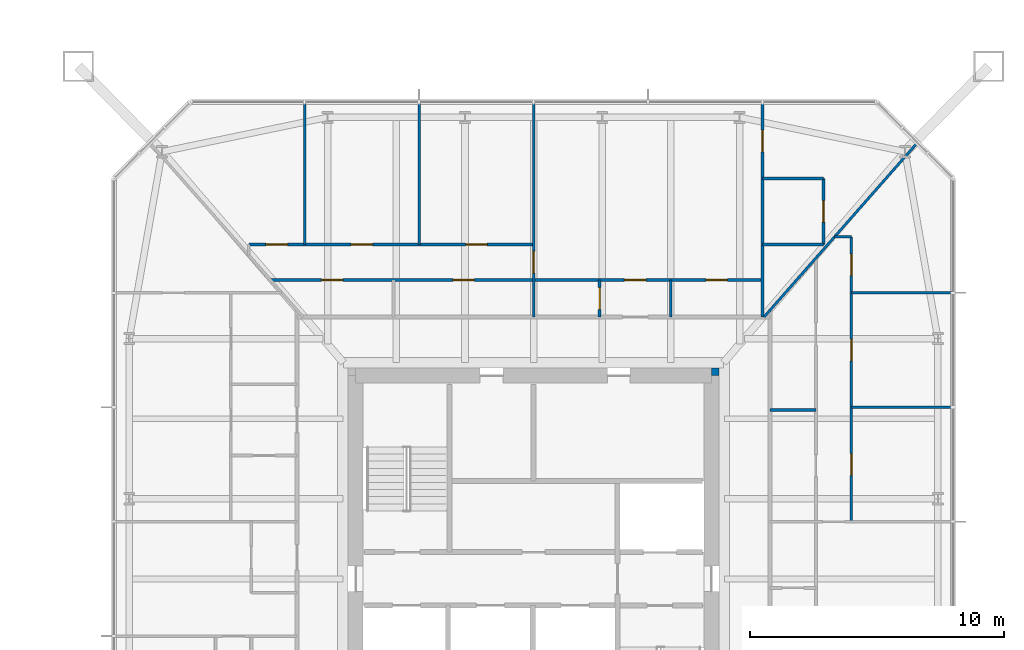
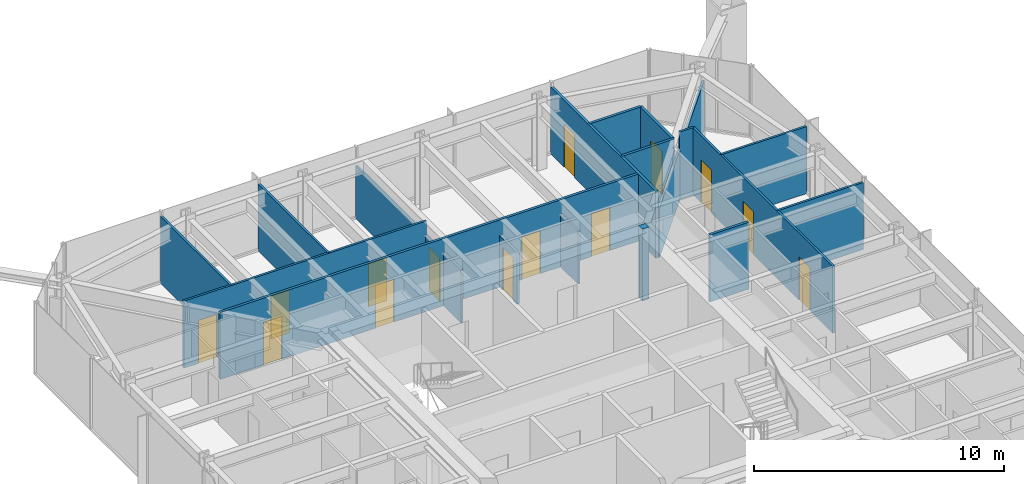
# One storey, part 21 of 26: 18 walls, 14 doors, 14 openings.
"""IFC4 building model written with IfcOpenShell, lengths in metres."""

from ifc_helpers import new_model, si_unit, direction, frame, frame_2d, origin, place, context, subcontext, project, spatial, rectangle, extrude, material, layer, layer_set, type_object, element, fill, save


model = new_model("IFC4")

# Units and contexts
model_context = context("Model", 3, precision=1e-05, world=origin(), true_north=direction((0.0, 1.0)))
body_context = subcontext(model_context, "Body", "Model", "MODEL_VIEW")
ifc_project = project(units=[si_unit("LENGTHUNIT", "METRE"), si_unit("AREAUNIT", "SQUARE_METRE"), si_unit("VOLUMEUNIT", "CUBIC_METRE"), si_unit("PLANEANGLEUNIT", "RADIAN"), si_unit("MASSUNIT", "GRAM", prefix="KILO")], contexts=[model_context])

# Site, building, storey
site_placement = place(None, origin())
site = spatial("IfcSite", under=ifc_project, at=site_placement, CompositionType="ELEMENT")
building_placement = place(site_placement, origin())
building = spatial("IfcBuilding", under=site, at=building_placement, Name="Iwan Alto Co-Living Towers", CompositionType="ELEMENT")
storey_placement = place(building_placement, frame((0.0, 0.0, 50.0)))
storey = spatial("IfcBuildingStorey", under=building, at=storey_placement, Name="L13", CompositionType="ELEMENT", Elevation=50.0)

# Walls
ifc_material_1 = material(Name="Gypsum board")
ifc_layer_1 = layer(ifc_material_1, 0.012451171875, Name="Board", Category="Finish")
ifc_material_2 = material(Name="Steel ASTM A1003 ST33H cold-formed studs", Category="steel")
ifc_layer_2 = layer(ifc_material_2, 0.074951171875, Name="Studs", Category="Framing")
ifc_layer_3 = layer(ifc_material_1, 0.012451171875, Name="Board", Category="Finish")
ifc_layer_set_1 = layer_set([ifc_layer_1, ifc_layer_2, ifc_layer_3], Name="PARTITION 100")
wall_type_1 = type_object("IfcWallType", Name="PARTITION 100", PredefinedType="PARTITIONING", material=ifc_layer_set_1)
for number, where, z_axis, x_axis, name in (
    (1, (75.5, 6.75, 0.0), (0.0, 0.0, 1.0), (1.0, 0.0, 0.0), "Partition L13"),
    (2, (75.5, 11.25, 0.0), (0.0, 0.0, 1.0), (1.0, 0.0, 0.0), "Partition L13"),
):
    element("IfcWall", number, at=place(storey_placement, frame(where, z_axis=z_axis, x_axis=x_axis)), inside=storey, type_object=wall_type_1, Name=name, PredefinedType="PARTITIONING", context=body_context, shape_type="SweptSolid", body=[
        extrude(rectangle(XDim=3.93994140625, YDim=0.10009765625, at=frame_2d((1.969970703125, 0.0))), origin(), (0.0, 0.0, 1.0), 3.27001953125),
    ])

# Wall, openings, doors
wall_1_placement = place(storey_placement, frame((51.800048828125, 13.14990234375, 0.0), z_axis=(0.0, 0.0, 1.0), x_axis=(1.0, 0.0, 0.0)))
wall_1 = element("IfcWall", 3, at=wall_1_placement, inside=storey, type_object=wall_type_1, Name="Partition L13", PredefinedType="PARTITIONING", context=body_context, shape_type="SweptSolid", body=[
    extrude(rectangle(XDim=11.199951171875, YDim=0.10009765625, at=frame_2d((5.60009765625, 0.0))), origin(), (0.0, 0.0, 1.0), 3.27001953125),
])
opening_1_placement = place(wall_1_placement, frame((8.52490234375, 0.0, 0.0)))
opening_1 = element("IfcOpeningElement", 4, at=opening_1_placement, cuts=wall_1, Name="Opening D2", PredefinedType="OPENING", context=body_context, shape_type="SweptSolid", body=[
    extrude(rectangle(XDim=0.85009765625, YDim=2.10009765625, at=frame_2d((0.425048828125, 1.050048828125))), frame((0.0, 0.06005859375, 0.0), z_axis=(0.0, -1.0, 0.0), x_axis=(1.0, 0.0, 0.0)), (0.0, 0.0, 1.0), 0.1201171875),
])
opening_2_placement = place(wall_1_placement, frame((4.02490234375, 0.0, 0.0)))
opening_2 = element("IfcOpeningElement", 5, at=opening_2_placement, cuts=wall_1, Name="Opening D2", PredefinedType="OPENING", context=body_context, shape_type="SweptSolid", body=[
    extrude(rectangle(XDim=0.85009765625, YDim=2.10009765625, at=frame_2d((0.425048828125, 1.050048828125))), frame((0.0, 0.06005859375, 0.0), z_axis=(0.0, -1.0, 0.0), x_axis=(1.0, 0.0, 0.0)), (0.0, 0.0, 1.0), 0.1201171875),
])
opening_3_placement = place(wall_1_placement, frame((0.675048828125, 0.0, 0.0)))
opening_3 = element("IfcOpeningElement", 6, at=opening_3_placement, cuts=wall_1, Name="Opening D2", PredefinedType="OPENING", context=body_context, shape_type="SweptSolid", body=[
    extrude(rectangle(XDim=0.85009765625, YDim=2.10009765625, at=frame_2d((0.425048828125, 1.050048828125))), frame((0.0, 0.06005859375, 0.0), z_axis=(0.0, -1.0, 0.0), x_axis=(1.0, 0.0, 0.0)), (0.0, 0.0, 1.0), 0.1201171875),
])
ifc_material_3 = material(Name="Timber leaf in steel frame", Category="steel")
door_type = type_object("IfcDoorType", Name="ROOM DOOR 850X2100", OperationType="SINGLE_SWING_LEFT", PredefinedType="DOOR", material=ifc_material_3)
door_1_placement = place(opening_1_placement, origin())
door_1 = element("IfcDoor", 7, at=door_1_placement, inside=storey, type_object=door_type, Name="Study door L13", OperationType="SINGLE_SWING_LEFT", OverallHeight=2.10009765625, OverallWidth=0.85009765625, PredefinedType="DOOR", context=body_context, shape_type="SweptSolid", body=[
    extrude(rectangle(XDim=0.85009765625, YDim=2.10009765625, at=frame_2d((0.425048828125, 1.050048828125))), frame((0.0, 0.02490234375, 0.0), z_axis=(0.0, -1.0, 0.0), x_axis=(1.0, 0.0, 0.0)), (0.0, 0.0, 1.0), 0.050048828125),
])
fill(opening_1, door_1)
door_2_placement = place(opening_2_placement, origin())
door_2 = element("IfcDoor", 8, at=door_2_placement, inside=storey, type_object=door_type, Name="Bedroom door L13", OperationType="SINGLE_SWING_LEFT", OverallHeight=2.10009765625, OverallWidth=0.85009765625, PredefinedType="DOOR", context=body_context, shape_type="SweptSolid", body=[
    extrude(rectangle(XDim=0.85009765625, YDim=2.10009765625, at=frame_2d((0.425048828125, 1.050048828125))), frame((0.0, 0.02490234375, 0.0), z_axis=(0.0, -1.0, 0.0), x_axis=(1.0, 0.0, 0.0)), (0.0, 0.0, 1.0), 0.050048828125),
])
fill(opening_2, door_2)
door_3_placement = place(opening_3_placement, origin())
door_3 = element("IfcDoor", 9, at=door_3_placement, inside=storey, type_object=door_type, Name="Bedroom door L13", OperationType="SINGLE_SWING_RIGHT", OverallHeight=2.10009765625, OverallWidth=0.85009765625, PredefinedType="DOOR", context=body_context, shape_type="SweptSolid", body=[
    extrude(rectangle(XDim=0.85009765625, YDim=2.10009765625, at=frame_2d((0.425048828125, 1.050048828125))), frame((0.0, 0.02490234375, 0.0), z_axis=(0.0, -1.0, 0.0), x_axis=(1.0, 0.0, 0.0)), (0.0, 0.0, 1.0), 0.050048828125),
])
fill(opening_3, door_3)

# Walls
wall_2_placement = place(storey_placement, frame((74.8359375, 13.449951171875, 0.0), z_axis=(0.0, 0.0, 1.0), x_axis=(1.0, 0.0, 0.0)))
element("IfcWall", 10, at=wall_2_placement, inside=storey, type_object=wall_type_1, Name="Partition L13", PredefinedType="PARTITIONING", context=body_context, shape_type="SweptSolid", body=[
    extrude(rectangle(XDim=0.6640625, YDim=0.10009765625, at=frame_2d((0.33203125, 0.0))), origin(), (0.0, 0.0, 1.0), 3.27001953125),
])
wall_3_placement = place(storey_placement, frame((72.06396484375, 10.300048828125, 0.0), z_axis=(0.0, 0.0, 1.0), x_axis=(0.660700699661, 0.750649442461, 0.0)))
element("IfcWall", 11, at=wall_3_placement, inside=storey, type_object=wall_type_1, Name="Partition L13", PredefinedType="PARTITIONING", context=body_context, shape_type="SweptSolid", body=[
    extrude(rectangle(XDim=9.07080078125, YDim=0.10009765625, at=frame_2d((4.535400390625, 0.0))), origin(), (0.0, 0.0, 1.0), 2.42919921875),
])

# Wall, openings, doors
wall_4_placement = place(storey_placement, frame((75.5, 2.25, 0.0), z_axis=(0.0, 0.0, 1.0), x_axis=(0.0, 1.0, 0.0)))
wall_4 = element("IfcWall", 12, at=wall_4_placement, inside=storey, type_object=wall_type_1, Name="Partition L13", PredefinedType="PARTITIONING", context=body_context, shape_type="SweptSolid", body=[
    extrude(rectangle(XDim=11.199951171875, YDim=0.10009765625, at=frame_2d((5.60009765625, 0.0))), origin(), (0.0, 0.0, 1.0), 3.27001953125),
])
opening_4_placement = place(wall_4_placement, frame((1.824951171875, 0.0, 0.0)))
opening_4 = element("IfcOpeningElement", 13, at=opening_4_placement, cuts=wall_4, Name="Opening D2", PredefinedType="OPENING", context=body_context, shape_type="SweptSolid", body=[
    extrude(rectangle(XDim=0.85009765625, YDim=2.10009765625, at=frame_2d((0.425048828125, 1.050048828125))), frame((0.0, 0.06005859375, 0.0), z_axis=(0.0, -1.0, 0.0), x_axis=(1.0, 0.0, 0.0)), (0.0, 0.0, 1.0), 0.1201171875),
])
opening_5_placement = place(wall_4_placement, frame((6.324951171875, 0.0, 0.0)))
opening_5 = element("IfcOpeningElement", 14, at=opening_5_placement, cuts=wall_4, Name="Opening D2", PredefinedType="OPENING", context=body_context, shape_type="SweptSolid", body=[
    extrude(rectangle(XDim=0.85009765625, YDim=2.10009765625, at=frame_2d((0.425048828125, 1.050048828125))), frame((0.0, 0.06005859375, 0.0), z_axis=(0.0, -1.0, 0.0), x_axis=(1.0, 0.0, 0.0)), (0.0, 0.0, 1.0), 0.1201171875),
])
opening_6_placement = place(wall_4_placement, frame((9.675048828125, 0.0, 0.0)))
opening_6 = element("IfcOpeningElement", 15, at=opening_6_placement, cuts=wall_4, Name="Opening D2", PredefinedType="OPENING", context=body_context, shape_type="SweptSolid", body=[
    extrude(rectangle(XDim=0.85009765625, YDim=2.10009765625, at=frame_2d((0.425048828125, 1.050048828125))), frame((0.0, 0.06005859375, 0.0), z_axis=(0.0, -1.0, 0.0), x_axis=(1.0, 0.0, 0.0)), (0.0, 0.0, 1.0), 0.1201171875),
])
door_4_placement = place(opening_4_placement, frame((0.85009765625, 0.0, 0.0), z_axis=(0.0, 0.0, 1.0), x_axis=(-1.0, 0.0, 0.0)))
door_4 = element("IfcDoor", 16, at=door_4_placement, inside=storey, type_object=door_type, Name="Family room door L13", OperationType="SINGLE_SWING_RIGHT", OverallHeight=2.10009765625, OverallWidth=0.85009765625, PredefinedType="DOOR", context=body_context, shape_type="SweptSolid", body=[
    extrude(rectangle(XDim=0.85009765625, YDim=2.10009765625, at=frame_2d((0.425048828125, 1.050048828125))), frame((0.0, 0.02490234375, 0.0), z_axis=(0.0, -1.0, 0.0), x_axis=(1.0, 0.0, 0.0)), (0.0, 0.0, 1.0), 0.050048828125),
])
fill(opening_4, door_4)
door_5_placement = place(opening_5_placement, frame((0.85009765625, 0.0, 0.0), z_axis=(0.0, 0.0, 1.0), x_axis=(-1.0, 0.0, 0.0)))
door_5 = element("IfcDoor", 17, at=door_5_placement, inside=storey, type_object=door_type, Name="Bedroom door L13", OperationType="SINGLE_SWING_RIGHT", OverallHeight=2.10009765625, OverallWidth=0.85009765625, PredefinedType="DOOR", context=body_context, shape_type="SweptSolid", body=[
    extrude(rectangle(XDim=0.85009765625, YDim=2.10009765625, at=frame_2d((0.425048828125, 1.050048828125))), frame((0.0, 0.02490234375, 0.0), z_axis=(0.0, -1.0, 0.0), x_axis=(1.0, 0.0, 0.0)), (0.0, 0.0, 1.0), 0.050048828125),
])
fill(opening_5, door_5)
door_6_placement = place(opening_6_placement, frame((0.85009765625, 0.0, 0.0), z_axis=(0.0, 0.0, 1.0), x_axis=(-1.0, 0.0, 0.0)))
door_6 = element("IfcDoor", 18, at=door_6_placement, inside=storey, type_object=door_type, Name="Study door L13", OperationType="SINGLE_SWING_RIGHT", OverallHeight=2.10009765625, OverallWidth=0.85009765625, PredefinedType="DOOR", context=body_context, shape_type="SweptSolid", body=[
    extrude(rectangle(XDim=0.85009765625, YDim=2.10009765625, at=frame_2d((0.425048828125, 1.050048828125))), frame((0.0, 0.02490234375, 0.0), z_axis=(0.0, -1.0, 0.0), x_axis=(1.0, 0.0, 0.0)), (0.0, 0.0, 1.0), 0.050048828125),
])
fill(opening_6, door_6)

# Wall
wall_5_placement = place(storey_placement, frame((68.39990234375, 10.300048828125, 0.0), z_axis=(0.0, 0.0, 1.0), x_axis=(0.0, 1.0, 0.0)))
element("IfcWall", 19, at=wall_5_placement, inside=storey, type_object=wall_type_1, Name="Partition L13", PredefinedType="PARTITIONING", context=body_context, shape_type="SweptSolid", body=[
    extrude(rectangle(XDim=1.449951171875, YDim=0.10009765625, at=frame_2d((0.72509765625, 0.0))), origin(), (0.0, 0.0, 1.0), 2.586669921875),
])

# Wall, opening, door
wall_6_placement = place(storey_placement, frame((63.0, 10.300048828125, 0.0), z_axis=(0.0, 0.0, 1.0), x_axis=(0.0, 1.0, 0.0)))
wall_6 = element("IfcWall", 20, at=wall_6_placement, inside=storey, type_object=wall_type_1, Name="Partition L13", PredefinedType="PARTITIONING", context=body_context, shape_type="SweptSolid", body=[
    extrude(rectangle(XDim=8.389892578125, YDim=0.10009765625, at=frame_2d((4.19482421875, 0.0))), origin(), (0.0, 0.0, 1.0), 2.586669921875),
])
opening_7_placement = place(wall_6_placement, frame((1.72509765625, 0.0, 0.0)))
opening_7 = element("IfcOpeningElement", 21, at=opening_7_placement, cuts=wall_6, Name="Opening D2", PredefinedType="OPENING", context=body_context, shape_type="SweptSolid", body=[
    extrude(rectangle(XDim=0.85009765625, YDim=2.10009765625, at=frame_2d((0.425048828125, 1.050048828125))), frame((0.0, 0.06005859375, 0.0), z_axis=(0.0, -1.0, 0.0), x_axis=(1.0, 0.0, 0.0)), (0.0, 0.0, 1.0), 0.1201171875),
])
door_7_placement = place(opening_7_placement, frame((0.85009765625, 0.0, 0.0), z_axis=(0.0, 0.0, 1.0), x_axis=(-1.0, 0.0, 0.0)))
door_7 = element("IfcDoor", 22, at=door_7_placement, inside=storey, type_object=door_type, Name="Apartment hall door L13", OperationType="SINGLE_SWING_RIGHT", OverallHeight=2.10009765625, OverallWidth=0.85009765625, PredefinedType="DOOR", context=body_context, shape_type="SweptSolid", body=[
    extrude(rectangle(XDim=0.85009765625, YDim=2.10009765625, at=frame_2d((0.425048828125, 1.050048828125))), frame((0.0, 0.02490234375, 0.0), z_axis=(0.0, -1.0, 0.0), x_axis=(1.0, 0.0, 0.0)), (0.0, 0.0, 1.0), 0.050048828125),
])
fill(opening_7, door_7)

# Walls
for number, where, z_axis, x_axis, name in (
    (23, (58.5, 13.14990234375, 0.0), (0.0, 0.0, 1.0), (0.0, 1.0, 0.0), "Partition L13"),
    (24, (54.0, 13.14990234375, 0.0), (0.0, 0.0, 1.0), (0.0, 1.0, 0.0), "Partition L13"),
):
    element("IfcWall", number, at=place(storey_placement, frame(where, z_axis=z_axis, x_axis=x_axis)), inside=storey, type_object=wall_type_1, Name=name, PredefinedType="PARTITIONING", context=body_context, shape_type="SweptSolid", body=[
        extrude(rectangle(XDim=5.5400390625, YDim=0.10009765625, at=frame_2d((2.77001953125, 0.0))), origin(), (0.0, 0.0, 1.0), 3.27001953125),
    ])
ifc_material_4 = material(Name="Concrete f'c 70 MPa", Category="concrete")
ifc_layer_4 = layer(ifc_material_4, 0.300048828125)
ifc_layer_set_2 = layer_set([ifc_layer_4], Name="T2 CORE CORNER FILL 300")
wall_type_2 = type_object("IfcWallType", Name="T2 CORE CORNER FILL 300", PredefinedType="SOLIDWALL", material=ifc_layer_set_2)
wall_7_placement = place(storey_placement, frame((70.0, 8.14990234375, 0.0), z_axis=(0.0, 0.0, 1.0), x_axis=(1.0, 0.0, 0.0)))
element("IfcWall", 25, at=wall_7_placement, inside=storey, type_object=wall_type_2, Name="T2 core corner NE L13", PredefinedType="SOLIDWALL", context=body_context, shape_type="SweptSolid", body=[
    extrude(rectangle(XDim=0.300048828125, YDim=0.300048828125, at=frame_2d((0.14990234375, 0.0))), origin(), (0.0, 0.0, 1.0), 3.5),
])
ifc_material_5 = material(Name="Cement board")
ifc_layer_5 = layer(ifc_material_5, 0.012451171875, Name="Board", Category="Finish")
ifc_layer_6 = layer(ifc_material_2, 0.094970703125, Name="Studs", Category="Framing")
ifc_layer_7 = layer(ifc_material_5, 0.012451171875, Name="Board", Category="Finish")
ifc_layer_set_3 = layer_set([ifc_layer_5, ifc_layer_6, ifc_layer_7], Name="WET AREA PARTITION 120")
wall_type_3 = type_object("IfcWallType", Name="WET AREA PARTITION 120", PredefinedType="PARTITIONING", material=ifc_layer_set_3)
wall_8_placement = place(storey_placement, frame((72.300048828125, 6.64990234375, 0.0), z_axis=(0.0, 0.0, 1.0), x_axis=(1.0, 0.0, 0.0)))
element("IfcWall", 26, at=wall_8_placement, inside=storey, type_object=wall_type_3, Name="Partition L13", PredefinedType="PARTITIONING", context=body_context, shape_type="SweptSolid", body=[
    extrude(rectangle(XDim=1.800048828125, YDim=0.1201171875, at=frame_2d((0.89990234375, 0.0))), origin(), (0.0, 0.0, 1.0), 3.27001953125),
])

# Wall, openings, doors
wall_9_placement = place(storey_placement, frame((52.659912109375, 11.75, 0.0), z_axis=(0.0, 0.0, 1.0), x_axis=(1.0, 0.0, 0.0)))
wall_9 = element("IfcWall", 27, at=wall_9_placement, inside=storey, type_object=wall_type_3, Name="Partition L13", PredefinedType="PARTITIONING", context=body_context, shape_type="SweptSolid", body=[
    extrude(rectangle(XDim=19.340087890625, YDim=0.1201171875, at=frame_2d((9.669921875, 0.0))), origin(), (0.0, 0.0, 1.0), 3.27001953125),
])
opening_8_placement = place(wall_9_placement, frame((17.114990234375, 0.0, 0.0)))
opening_8 = element("IfcOpeningElement", 28, at=opening_8_placement, cuts=wall_9, Name="Opening D2", PredefinedType="OPENING", context=body_context, shape_type="SweptSolid", body=[
    extrude(rectangle(XDim=0.85009765625, YDim=2.10009765625, at=frame_2d((0.425048828125, 1.050048828125))), frame((0.0, 0.070068359375, 0.0), z_axis=(0.0, -1.0, 0.0), x_axis=(1.0, 0.0, 0.0)), (0.0, 0.0, 1.0), 0.14013671875),
])
opening_9_placement = place(wall_9_placement, frame((13.9150390625, 0.0, 0.0)))
opening_9 = element("IfcOpeningElement", 29, at=opening_9_placement, cuts=wall_9, Name="Opening D2", PredefinedType="OPENING", context=body_context, shape_type="SweptSolid", body=[
    extrude(rectangle(XDim=0.85009765625, YDim=2.10009765625, at=frame_2d((0.425048828125, 1.050048828125))), frame((0.0, 0.070068359375, 0.0), z_axis=(0.0, -1.0, 0.0), x_axis=(1.0, 0.0, 0.0)), (0.0, 0.0, 1.0), 0.14013671875),
])
opening_10_placement = place(wall_9_placement, frame((7.1650390625, 0.0, 0.0)))
opening_10 = element("IfcOpeningElement", 30, at=opening_10_placement, cuts=wall_9, Name="Opening D2", PredefinedType="OPENING", context=body_context, shape_type="SweptSolid", body=[
    extrude(rectangle(XDim=0.85009765625, YDim=2.10009765625, at=frame_2d((0.425048828125, 1.050048828125))), frame((0.0, 0.070068359375, 0.0), z_axis=(0.0, -1.0, 0.0), x_axis=(1.0, 0.0, 0.0)), (0.0, 0.0, 1.0), 0.14013671875),
])
opening_11_placement = place(wall_9_placement, frame((1.9951171875, 0.0, 0.0)))
opening_11 = element("IfcOpeningElement", 31, at=opening_11_placement, cuts=wall_9, Name="Opening D2", PredefinedType="OPENING", context=body_context, shape_type="SweptSolid", body=[
    extrude(rectangle(XDim=0.85009765625, YDim=2.10009765625, at=frame_2d((0.425048828125, 1.050048828125))), frame((0.0, 0.070068359375, 0.0), z_axis=(0.0, -1.0, 0.0), x_axis=(1.0, 0.0, 0.0)), (0.0, 0.0, 1.0), 0.14013671875),
])
door_8_placement = place(opening_8_placement, origin())
door_8 = element("IfcDoor", 32, at=door_8_placement, inside=storey, type_object=door_type, Name="Kitchen door L13", OperationType="SINGLE_SWING_RIGHT", OverallHeight=2.10009765625, OverallWidth=0.85009765625, PredefinedType="DOOR", context=body_context, shape_type="SweptSolid", body=[
    extrude(rectangle(XDim=0.85009765625, YDim=2.10009765625, at=frame_2d((0.425048828125, 1.050048828125))), frame((0.0, 0.02490234375, 0.0), z_axis=(0.0, -1.0, 0.0), x_axis=(1.0, 0.0, 0.0)), (0.0, 0.0, 1.0), 0.050048828125),
])
fill(opening_8, door_8)
door_9_placement = place(opening_9_placement, origin())
door_9 = element("IfcDoor", 33, at=door_9_placement, inside=storey, type_object=door_type, Name="Apartment foyer door L13", OperationType="SINGLE_SWING_LEFT", OverallHeight=2.10009765625, OverallWidth=0.85009765625, PredefinedType="DOOR", context=body_context, shape_type="SweptSolid", body=[
    extrude(rectangle(XDim=0.85009765625, YDim=2.10009765625, at=frame_2d((0.425048828125, 1.050048828125))), frame((0.0, 0.02490234375, 0.0), z_axis=(0.0, -1.0, 0.0), x_axis=(1.0, 0.0, 0.0)), (0.0, 0.0, 1.0), 0.050048828125),
])
fill(opening_9, door_9)
door_10_placement = place(opening_10_placement, frame((0.85009765625, 0.0, 0.0), z_axis=(0.0, 0.0, 1.0), x_axis=(-1.0, 0.0, 0.0)))
door_10 = element("IfcDoor", 34, at=door_10_placement, inside=storey, type_object=door_type, Name="Utility room door L13", OperationType="SINGLE_SWING_RIGHT", OverallHeight=2.10009765625, OverallWidth=0.85009765625, PredefinedType="DOOR", context=body_context, shape_type="SweptSolid", body=[
    extrude(rectangle(XDim=0.85009765625, YDim=2.10009765625, at=frame_2d((0.425048828125, 1.050048828125))), frame((0.0, 0.02490234375, 0.0), z_axis=(0.0, -1.0, 0.0), x_axis=(1.0, 0.0, 0.0)), (0.0, 0.0, 1.0), 0.050048828125),
])
fill(opening_10, door_10)
door_11_placement = place(opening_11_placement, frame((0.85009765625, 0.0, 0.0), z_axis=(0.0, 0.0, 1.0), x_axis=(-1.0, 0.0, 0.0)))
door_11 = element("IfcDoor", 35, at=door_11_placement, inside=storey, type_object=door_type, Name="Store room door L13", OperationType="SINGLE_SWING_RIGHT", OverallHeight=2.10009765625, OverallWidth=0.85009765625, PredefinedType="DOOR", context=body_context, shape_type="SweptSolid", body=[
    extrude(rectangle(XDim=0.85009765625, YDim=2.10009765625, at=frame_2d((0.425048828125, 1.050048828125))), frame((0.0, 0.02490234375, 0.0), z_axis=(0.0, -1.0, 0.0), x_axis=(1.0, 0.0, 0.0)), (0.0, 0.0, 1.0), 0.050048828125),
])
fill(opening_11, door_11)

# Walls
for number, where, z_axis, x_axis, name in (
    (36, (72.0, 13.14990234375, 0.0), (0.0, 0.0, 1.0), (1.0, 0.0, 0.0), "Partition L13"),
    (37, (72.0, 15.75, 0.0), (0.0, 0.0, 1.0), (1.0, 0.0, 0.0), "Partition L13"),
):
    element("IfcWall", number, at=place(storey_placement, frame(where, z_axis=z_axis, x_axis=x_axis)), inside=storey, type_object=wall_type_3, Name=name, PredefinedType="PARTITIONING", context=body_context, shape_type="SweptSolid", body=[
        extrude(rectangle(XDim=2.39990234375, YDim=0.1201171875, at=frame_2d((1.199951171875, 0.0))), origin(), (0.0, 0.0, 1.0), 3.27001953125),
    ])

# Wall, opening, door
wall_10_placement = place(storey_placement, frame((74.39990234375, 13.14990234375, 0.0), z_axis=(0.0, 0.0, 1.0), x_axis=(0.0, 1.0, 0.0)))
wall_10 = element("IfcWall", 38, at=wall_10_placement, inside=storey, type_object=wall_type_3, Name="Partition L13", PredefinedType="PARTITIONING", context=body_context, shape_type="SweptSolid", body=[
    extrude(rectangle(XDim=2.60009765625, YDim=0.1201171875, at=frame_2d((1.300048828125, 0.0))), origin(), (0.0, 0.0, 1.0), 3.27001953125),
])
opening_12_placement = place(wall_10_placement, frame((0.875, 0.0, 0.0)))
opening_12 = element("IfcOpeningElement", 39, at=opening_12_placement, cuts=wall_10, Name="Opening D2", PredefinedType="OPENING", context=body_context, shape_type="SweptSolid", body=[
    extrude(rectangle(XDim=0.85009765625, YDim=2.10009765625, at=frame_2d((0.425048828125, 1.050048828125))), frame((0.0, 0.070068359375, 0.0), z_axis=(0.0, -1.0, 0.0), x_axis=(1.0, 0.0, 0.0)), (0.0, 0.0, 1.0), 0.14013671875),
])
door_12_placement = place(opening_12_placement, frame((0.85009765625, 0.0, 0.0), z_axis=(0.0, 0.0, 1.0), x_axis=(-1.0, 0.0, 0.0)))
door_12 = element("IfcDoor", 40, at=door_12_placement, inside=storey, type_object=door_type, Name="En-suite shower room door L13", OperationType="SINGLE_SWING_RIGHT", OverallHeight=2.10009765625, OverallWidth=0.85009765625, PredefinedType="DOOR", context=body_context, shape_type="SweptSolid", body=[
    extrude(rectangle(XDim=0.85009765625, YDim=2.10009765625, at=frame_2d((0.425048828125, 1.050048828125))), frame((0.0, 0.02490234375, 0.0), z_axis=(0.0, -1.0, 0.0), x_axis=(1.0, 0.0, 0.0)), (0.0, 0.0, 1.0), 0.050048828125),
])
fill(opening_12, door_12)

wall_11_placement = place(storey_placement, frame((72.0, 10.300048828125, 0.0), z_axis=(0.0, 0.0, 1.0), x_axis=(0.0, 1.0, 0.0)))
wall_11 = element("IfcWall", 41, at=wall_11_placement, inside=storey, type_object=wall_type_3, Name="Partition L13", PredefinedType="PARTITIONING", context=body_context, shape_type="SweptSolid", body=[
    extrude(rectangle(XDim=8.389892578125, YDim=0.1201171875, at=frame_2d((4.19482421875, 0.0))), origin(), (0.0, 0.0, 1.0), 3.27001953125),
])
opening_13_placement = place(wall_11_placement, frame((6.4951171875, 0.0, 0.0)))
opening_13 = element("IfcOpeningElement", 42, at=opening_13_placement, cuts=wall_11, Name="Opening D2", PredefinedType="OPENING", context=body_context, shape_type="SweptSolid", body=[
    extrude(rectangle(XDim=0.85009765625, YDim=2.10009765625, at=frame_2d((0.425048828125, 1.050048828125))), frame((0.0, 0.070068359375, 0.0), z_axis=(0.0, -1.0, 0.0), x_axis=(1.0, 0.0, 0.0)), (0.0, 0.0, 1.0), 0.14013671875),
])
door_13_placement = place(opening_13_placement, origin())
door_13 = element("IfcDoor", 43, at=door_13_placement, inside=storey, type_object=door_type, Name="Bedroom door L13", OperationType="SINGLE_SWING_RIGHT", OverallHeight=2.10009765625, OverallWidth=0.85009765625, PredefinedType="DOOR", context=body_context, shape_type="SweptSolid", body=[
    extrude(rectangle(XDim=0.85009765625, YDim=2.10009765625, at=frame_2d((0.425048828125, 1.050048828125))), frame((0.0, 0.02490234375, 0.0), z_axis=(0.0, -1.0, 0.0), x_axis=(1.0, 0.0, 0.0)), (0.0, 0.0, 1.0), 0.050048828125),
])
fill(opening_13, door_13)

wall_12_placement = place(storey_placement, frame((65.60009765625, 10.300048828125, 0.0), z_axis=(0.0, 0.0, 1.0), x_axis=(0.0, 1.0, 0.0)))
wall_12 = element("IfcWall", 44, at=wall_12_placement, inside=storey, type_object=wall_type_3, Name="Partition L13", PredefinedType="PARTITIONING", context=body_context, shape_type="SweptSolid", body=[
    extrude(rectangle(XDim=1.449951171875, YDim=0.1201171875, at=frame_2d((0.72509765625, 0.0))), origin(), (0.0, 0.0, 1.0), 2.508056640625),
])
opening_14_placement = place(wall_12_placement, frame((0.300048828125, 0.0, 0.0)))
opening_14 = element("IfcOpeningElement", 45, at=opening_14_placement, cuts=wall_12, Name="Opening D2", PredefinedType="OPENING", context=body_context, shape_type="SweptSolid", body=[
    extrude(rectangle(XDim=0.85009765625, YDim=2.10009765625, at=frame_2d((0.425048828125, 1.050048828125))), frame((0.0, 0.070068359375, 0.0), z_axis=(0.0, -1.0, 0.0), x_axis=(1.0, 0.0, 0.0)), (0.0, 0.0, 1.0), 0.14013671875),
])
door_14_placement = place(opening_14_placement, origin())
door_14 = element("IfcDoor", 46, at=door_14_placement, inside=storey, type_object=door_type, Name="Shower room door L13", OperationType="SINGLE_SWING_LEFT", OverallHeight=2.10009765625, OverallWidth=0.85009765625, PredefinedType="DOOR", context=body_context, shape_type="SweptSolid", body=[
    extrude(rectangle(XDim=0.85009765625, YDim=2.10009765625, at=frame_2d((0.425048828125, 1.050048828125))), frame((0.0, 0.02490234375, 0.0), z_axis=(0.0, -1.0, 0.0), x_axis=(1.0, 0.0, 0.0)), (0.0, 0.0, 1.0), 0.050048828125),
])
fill(opening_14, door_14)

save(model, "model.ifc")
